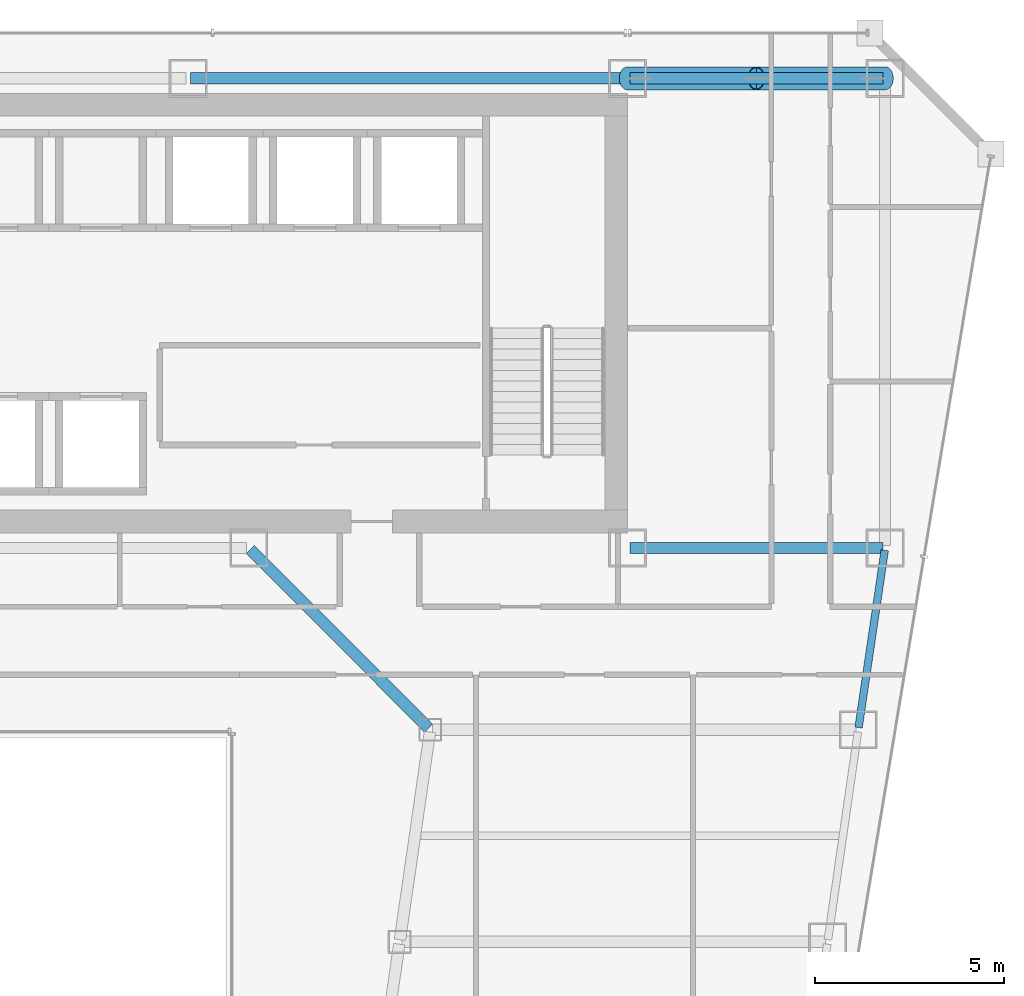
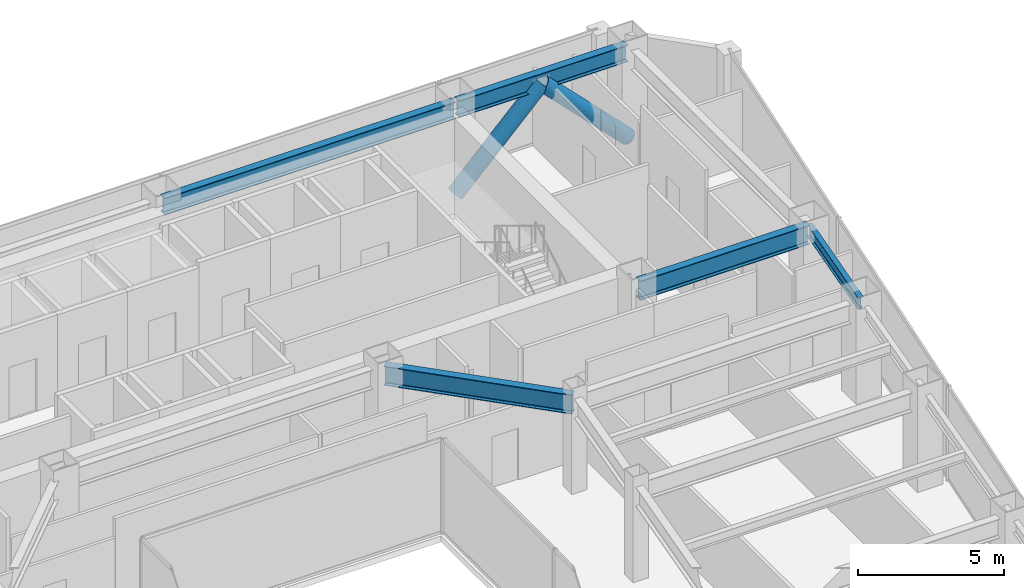
# One storey, part 24 of 36: 5 beams, 2 members.
"""IFC4 building model written with IfcOpenShell, lengths in metres."""

from ifc_helpers import new_model, si_unit, direction, frame, origin, origin_2d, place, context, subcontext, project, spatial, hollow_circle, i_section, extrude, material, material_profile, profile_set, type_object, element, save


model = new_model("IFC4")

# Units and contexts
model_context = context("Model", 3, precision=1e-05, world=origin(), true_north=direction((0.0, 1.0)))
body_context = subcontext(model_context, "Body", "Model", "MODEL_VIEW")
ifc_project = project(units=[si_unit("LENGTHUNIT", "METRE"), si_unit("AREAUNIT", "SQUARE_METRE"), si_unit("VOLUMEUNIT", "CUBIC_METRE"), si_unit("PLANEANGLEUNIT", "RADIAN"), si_unit("MASSUNIT", "GRAM", prefix="KILO")], contexts=[model_context])

# Site, building, storey
site_placement = place(None, origin())
site = spatial("IfcSite", under=ifc_project, at=site_placement, CompositionType="ELEMENT")
building_placement = place(site_placement, origin())
building = spatial("IfcBuilding", under=site, at=building_placement, Name="Saevonmaru Cultural Tower", CompositionType="ELEMENT")
storey_placement = place(building_placement, frame((0.0, 0.0, 119.199951171875)))
storey = spatial("IfcBuildingStorey", under=building, at=storey_placement, Name="L25", CompositionType="ELEMENT", Elevation=119.199951171875)

# Beams
ifc_material_1 = material(Name="Steel SM420", Category="steel")
ifc_material_profile_1 = material_profile(ifc_material_1, i_section(OverallWidth=0.300048828125, OverallDepth=0.800048828125, WebThickness=0.013916015625, FlangeThickness=0.02587890625, FilletRadius=0.028076171875, at=origin_2d()), Name="H-800x300x14x26")
ifc_profile_set_1 = profile_set([ifc_material_profile_1], Name="Steel SM420")
beam_type_1 = type_object("IfcBeamType", Name="BM-G-H800", PredefinedType="BEAM", material=ifc_profile_set_1)
beam_1_placement = place(storey_placement, frame((46.4599609375, 42.39990234375, 3.550048828125), z_axis=(1.0, 0.0, 0.0), x_axis=(0.0, 1.0, 0.0)))
element("IfcBeam", 1, at=beam_1_placement, inside=storey, type_object=beam_type_1, Name="L25 Core South Girder 5", PredefinedType="BEAM", context=body_context, shape_type="SweptSolid", body=[
    extrude(i_section(OverallWidth=0.300048828125, OverallDepth=0.800048828125, WebThickness=0.013916015625, FlangeThickness=0.02587890625, FilletRadius=0.028076171875, at=origin_2d()), origin(), (0.0, 0.0, 1.0), 6.679931640625),
])
beam_2_placement = place(storey_placement, frame((41.149658203125, 37.642578125, 3.550048828125), z_axis=(-0.706538566564, 0.707674539572, 0.0), x_axis=(-0.707674539572, -0.706538566564, 0.0)))
element("IfcBeam", 2, at=beam_2_placement, inside=storey, type_object=beam_type_1, Name="L25 East Atrium Girder 5", PredefinedType="BEAM", context=body_context, shape_type="SweptSolid", body=[
    extrude(i_section(OverallWidth=0.300048828125, OverallDepth=0.800048828125, WebThickness=0.013916015625, FlangeThickness=0.02587890625, FilletRadius=0.028076171875, at=origin_2d()), origin(), (0.0, 0.0, 1.0), 6.662353515625),
])
ifc_material_2 = material(Name="Steel SM355", Category="steel")
ifc_material_profile_2 = material_profile(ifc_material_2, i_section(OverallWidth=0.199951171875, OverallDepth=0.5, WebThickness=0.010009765625, FlangeThickness=0.01611328125, FilletRadius=0.02001953125, at=origin_2d()), Name="H-500x200x10x16")
ifc_profile_set_2 = profile_set([ifc_material_profile_2], Name="Steel SM355")
beam_type_2 = type_object("IfcBeamType", Name="BM-SP-H500", PredefinedType="SPANDREL", material=ifc_profile_set_2)
beam_3_placement = place(storey_placement, frame((52.500732421875, 37.659423828125, 3.699951171875), z_axis=(0.145912860028, 0.989297446312, 0.0), x_axis=(-0.989297446312, 0.145912860028, 0.0)))
element("IfcBeam", 3, at=beam_3_placement, inside=storey, type_object=beam_type_2, Name="L25 East Splayed Spandrel 5", PredefinedType="SPANDREL", context=body_context, shape_type="SweptSolid", body=[
    extrude(i_section(OverallWidth=0.199951171875, OverallDepth=0.5, WebThickness=0.010009765625, FlangeThickness=0.01611328125, FilletRadius=0.02001953125, at=origin_2d()), origin(), (0.0, 0.0, 1.0), 4.731689453125),
])
ifc_material_profile_3 = material_profile(ifc_material_2, i_section(OverallWidth=0.300048828125, OverallDepth=0.699951171875, WebThickness=0.012939453125, FlangeThickness=0.02392578125, FilletRadius=0.02587890625, at=origin_2d()), Name="H-700x300x13x24")
ifc_profile_set_3 = profile_set([ifc_material_profile_3], Name="Steel SM355")
beam_type_3 = type_object("IfcBeamType", Name="BM-SP-H700", PredefinedType="SPANDREL", material=ifc_profile_set_3)
beam_4_placement = place(storey_placement, frame((34.860107421875, 54.800048828125, 3.60009765625), z_axis=(1.0, 0.0, 0.0), x_axis=(0.0, 1.0, 0.0)))
element("IfcBeam", 4, at=beam_4_placement, inside=storey, type_object=beam_type_3, Name="L25 North Spine Girder 4", PredefinedType="SPANDREL", context=body_context, shape_type="SweptSolid", body=[
    extrude(i_section(OverallWidth=0.300048828125, OverallDepth=0.699951171875, WebThickness=0.012939453125, FlangeThickness=0.02392578125, FilletRadius=0.02587890625, at=origin_2d()), origin(), (0.0, 0.0, 1.0), 11.47998046875),
])
beam_5_placement = place(storey_placement, frame((46.4599609375, 54.800048828125, 3.60009765625), z_axis=(1.0, 0.0, 0.0), x_axis=(0.0, 1.0, 0.0)))
element("IfcBeam", 5, at=beam_5_placement, inside=storey, type_object=beam_type_3, Name="L25 North Spine Girder 5", PredefinedType="SPANDREL", context=body_context, shape_type="SweptSolid", body=[
    extrude(i_section(OverallWidth=0.300048828125, OverallDepth=0.699951171875, WebThickness=0.012939453125, FlangeThickness=0.02392578125, FilletRadius=0.02587890625, at=origin_2d()), origin(), (0.0, 0.0, 1.0), 6.679931640625),
])

# Members
ifc_material_3 = material(Name="Steel HSA600 (600 MPa)", Category="steel")
ifc_material_profile_4 = material_profile(ifc_material_3, hollow_circle(Radius=0.3046875, WallThickness=0.02490234375, at=origin_2d()), Name="CHS-609.6x25")
ifc_profile_set_4 = profile_set([ifc_material_profile_4], Name="Steel HSA600 (600 MPa)")
member_type = type_object("IfcMemberType", Name="MB-PBR-CHS610", PredefinedType="BRACE", material=ifc_profile_set_4)
member_1_placement = place(storey_placement, frame((46.39990234375, 54.800048828125, 0.02001953125), z_axis=(0.701947099629, 0.0, 0.712229084861), x_axis=(0.0, 1.0, 0.0)))
element("IfcMember", 6, at=member_1_placement, inside=storey, type_object=member_type, Name="L25 Perimeter Braced-Tube Diagonal EN1", PredefinedType="BRACE", context=body_context, shape_type="SweptSolid", body=[
    extrude(hollow_circle(Radius=0.3046875, WallThickness=0.02490234375, at=origin_2d()), origin(), (0.0, 0.0, 1.0), 4.843994140625),
])
member_2_placement = place(storey_placement, frame((53.199951171875, 54.800048828125, 0.02001953125), z_axis=(-0.701921530893, 0.0, 0.712254283574), x_axis=(0.0, -1.0, 0.0)))
element("IfcMember", 7, at=member_2_placement, inside=storey, type_object=member_type, Name="L25 Perimeter Braced-Tube Diagonal EN2", PredefinedType="BRACE", context=body_context, shape_type="SweptSolid", body=[
    extrude(hollow_circle(Radius=0.3046875, WallThickness=0.02490234375, at=origin_2d()), origin(), (0.0, 0.0, 1.0), 4.84375),
])

save(model, "model.ifc")
